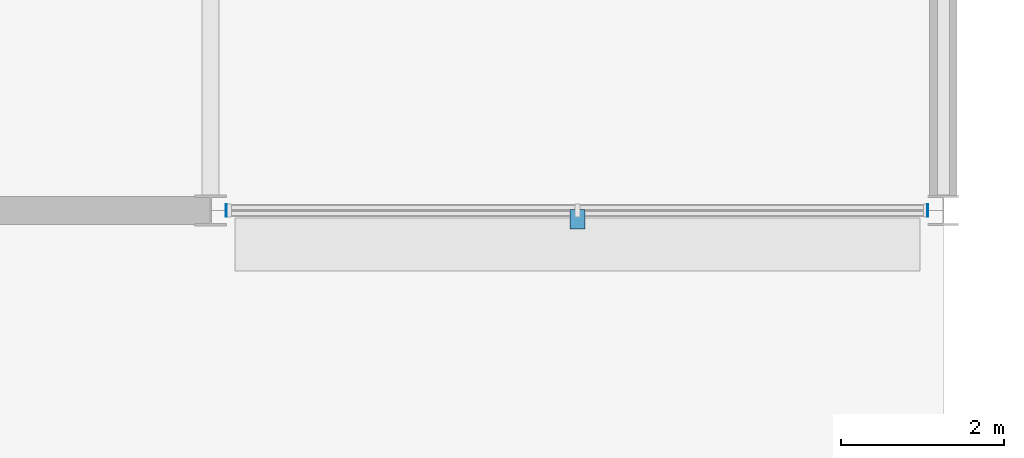
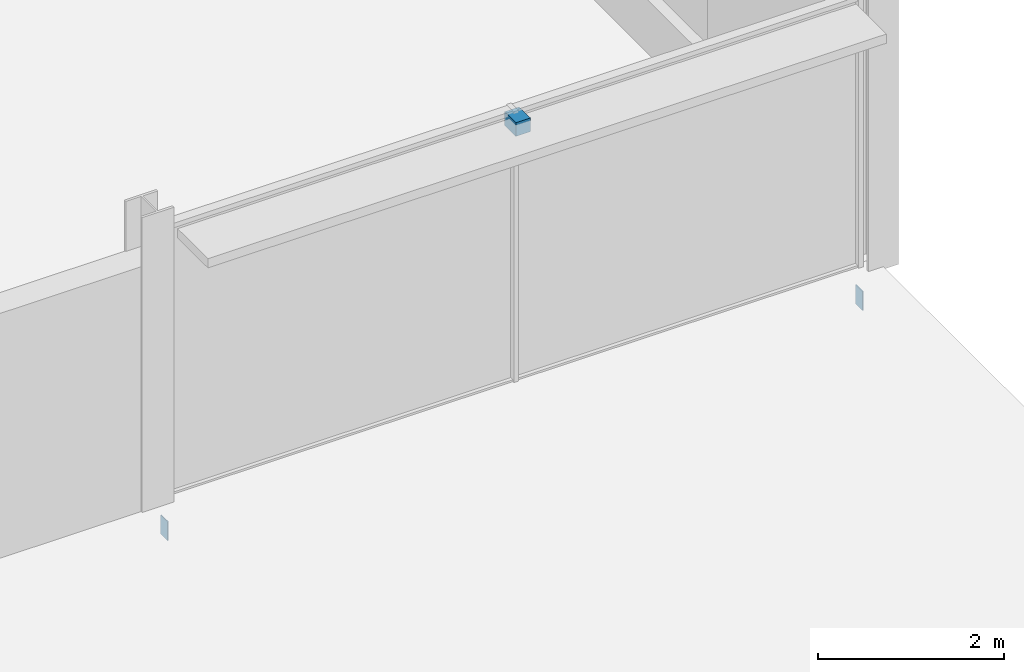
# One storey, part 85 of 105: 3 discrete accessories.
"""IFC4 building model written with IfcOpenShell, lengths in metres."""

from ifc_helpers import new_model, si_unit, direction, frame, origin, origin_2d, place, context, subcontext, project, spatial, polyline, rectangle, outline, extrude, material, layer, layer_set, type_object, element, save


model = new_model("IFC4")

# Units and contexts
model_context = context("Model", 3, precision=1e-05, world=origin(), true_north=direction((0.0, 1.0)))
body_context = subcontext(model_context, "Body", "Model", "MODEL_VIEW")
ifc_project = project(units=[si_unit("LENGTHUNIT", "METRE"), si_unit("AREAUNIT", "SQUARE_METRE"), si_unit("VOLUMEUNIT", "CUBIC_METRE"), si_unit("PLANEANGLEUNIT", "RADIAN"), si_unit("MASSUNIT", "GRAM", prefix="KILO")], contexts=[model_context])

# Site, building, storey
site_placement = place(None, origin())
site = spatial("IfcSite", under=ifc_project, at=site_placement, CompositionType="ELEMENT")
building_placement = place(site_placement, origin())
building = spatial("IfcBuilding", under=site, at=building_placement, Name="Kisiwana Market Hall", CompositionType="ELEMENT")
storey_placement = place(building_placement, frame((0.0, 0.0, 21.60009765625)))
storey = spatial("IfcBuildingStorey", under=building, at=storey_placement, Name="L04", CompositionType="ELEMENT", Elevation=21.60009765625)

# Discrete accessories
ifc_material_1 = material(Name="Steel S355", Category="steel")
discrete_accessory_type_1 = type_object("IfcDiscreteAccessoryType", Name="ACC-BRACKET-STL", PredefinedType="BRACKET", material=ifc_material_1)
discrete_accessory_1_placement = place(storey_placement, frame((193.505615234375, 8.889892578125, 3.375), z_axis=(0.0, 0.0, 1.0), x_axis=(1.0, 0.0, 0.0)))
element("IfcDiscreteAccessory", 1, at=discrete_accessory_1_placement, inside=storey, type_object=discrete_accessory_type_1, Name="Sunshade steel bracket BRK-053", PredefinedType="BRACKET", context=body_context, shape_type="SweptSolid", body=[
    extrude(rectangle(XDim=0.179931640625, YDim=0.239990234375, at=origin_2d()), origin(), (0.0, 0.0, 1.0), 0.179931640625),
])
ifc_material_2 = material(Name="Steel S355", Category="steel")
ifc_layer = layer(ifc_material_2, 0.011962890625)
ifc_layer_set = layer_set([ifc_layer], Name="ACC-ENDCAP-STL")
discrete_accessory_type_2 = type_object("IfcDiscreteAccessoryType", Name="ACC-ENDCAP-STL", PredefinedType="USERDEFINED", material=ifc_layer_set)
discrete_accessory_2_placement = place(storey_placement, frame((0.0, 0.0, -0.5419921875)))
element("IfcDiscreteAccessory", 2, at=discrete_accessory_2_placement, inside=storey, type_object=discrete_accessory_type_2, Name="End cap plate EC-0055", ObjectType="End cap plate", PredefinedType="USERDEFINED", context=body_context, shape_type="SweptSolid", body=[
    extrude(outline(polyline([(197.804443359375, 8.925048828125), (197.81640625, 8.925048828125), (197.81640625, 9.074951171875), (197.804443359375, 9.074951171875), (197.804443359375, 8.925048828125)])), origin(), (0.0, 0.0, 1.0), 0.25),
])
discrete_accessory_3_placement = place(storey_placement, frame((0.0, 0.0, -0.5419921875)))
element("IfcDiscreteAccessory", 3, at=discrete_accessory_3_placement, inside=storey, type_object=discrete_accessory_type_2, Name="End cap plate EC-0056", ObjectType="End cap plate", PredefinedType="USERDEFINED", context=body_context, shape_type="SweptSolid", body=[
    extrude(outline(polyline([(189.195556640625, 8.925048828125), (189.195556640625, 9.074951171875), (189.18359375, 9.074951171875), (189.18359375, 8.925048828125), (189.195556640625, 8.925048828125)])), origin(), (0.0, 0.0, 1.0), 0.25),
])

save(model, "model.ifc")
